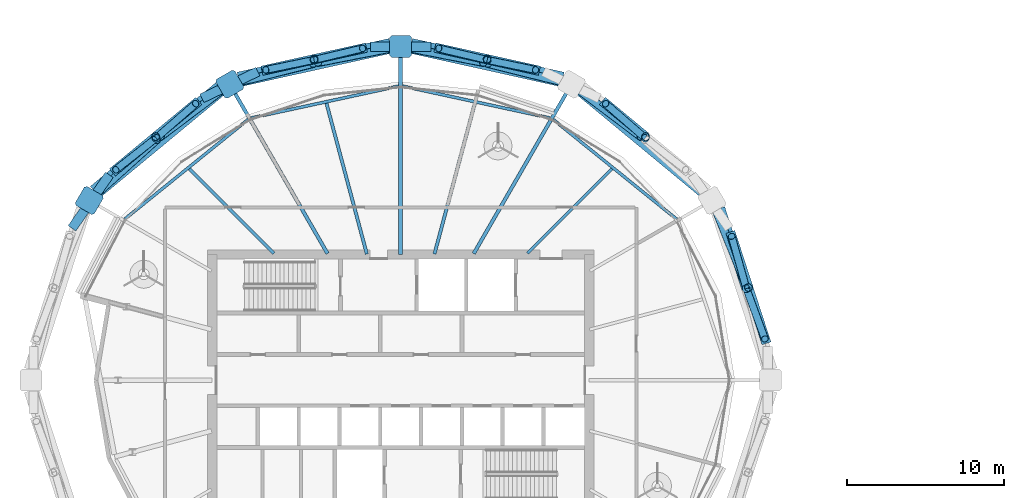
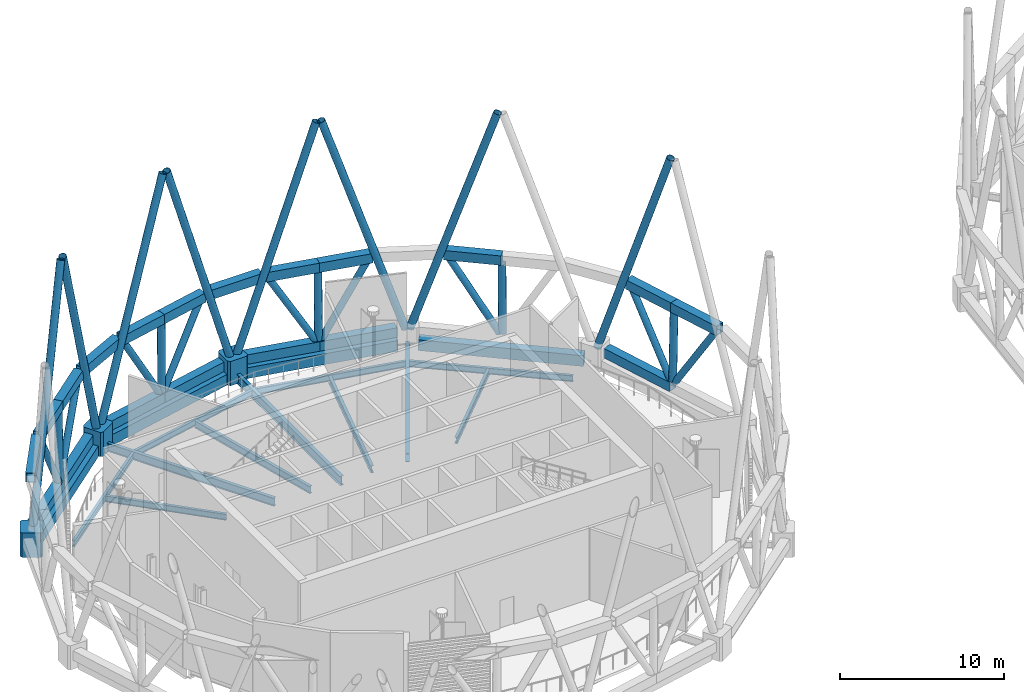
# One storey, part 5 of 22: 44 members, 15 beams.
"""IFC4 building model written with IfcOpenShell, lengths in metres."""

from ifc_helpers import new_model, si_unit, direction, frame, origin, origin_2d, place, context, subcontext, project, spatial, polyline, hollow_rectangle, hollow_circle, i_section, outline, extrude, material, material_profile, profile_set, type_object, element, save


model = new_model("IFC4")

# Units and contexts
model_context = context("Model", 3, precision=1e-05, world=origin(), true_north=direction((0.0, 1.0)))
body_context = subcontext(model_context, "Body", "Model", "MODEL_VIEW")
ifc_project = project(units=[si_unit("LENGTHUNIT", "METRE"), si_unit("AREAUNIT", "SQUARE_METRE"), si_unit("VOLUMEUNIT", "CUBIC_METRE"), si_unit("PLANEANGLEUNIT", "RADIAN"), si_unit("MASSUNIT", "GRAM", prefix="KILO")], contexts=[model_context])

# Site, building, storey
site_placement = place(None, origin())
site = spatial("IfcSite", under=ifc_project, at=site_placement, CompositionType="ELEMENT")
building_placement = place(site_placement, origin())
building = spatial("IfcBuilding", under=site, at=building_placement, Name="Rimbun Link Towers", CompositionType="ELEMENT")
storey_placement = place(building_placement, frame((0.0, 0.0, 204.5)))
storey = spatial("IfcBuildingStorey", under=building, at=storey_placement, Name="L50", CompositionType="ELEMENT", Elevation=204.5)

# Members
ifc_material_1 = material(Name="Steel S460N", Category="steel")
ifc_material_profile_1 = material_profile(ifc_material_1, hollow_rectangle(XDim=0.60009765625, YDim=0.699951171875, WallThickness=0.034912109375, at=origin_2d()), Name="Belt truss chord BOX 600x700x35")
ifc_profile_set_1 = profile_set([ifc_material_profile_1], Name="Steel S460N")
member_type_1 = type_object("IfcMemberType", Name="Belt truss chord BOX 600x700x35", PredefinedType="CHORD", material=ifc_profile_set_1)
member_1_placement = place(storey_placement, frame((-29.82666015625, 21.22802734375, 6.0), z_axis=(-1.0, 0.0, 0.0), x_axis=(0.0, -1.0, 0.0)))
element("IfcMember", 1, at=member_1_placement, inside=storey, type_object=member_type_1, Name="Belt truss chord T1 L50 top 03", PredefinedType="CHORD", context=body_context, shape_type="SweptSolid", body=[
    extrude(hollow_rectangle(XDim=0.60009765625, YDim=0.699951171875, WallThickness=0.034912109375, at=origin_2d()), origin(), (0.0, 0.0, 1.0), 3.8466796875),
])
member_2_placement = place(storey_placement, frame((-40.836181640625, 19.638427734375, 6.0), z_axis=(-0.902203286827, -0.431311058564, 0.0), x_axis=(0.431311058564, -0.902203286827, 0.0)))
element("IfcMember", 2, at=member_2_placement, inside=storey, type_object=member_type_1, Name="Belt truss chord T1 L50 top 04", PredefinedType="CHORD", context=body_context, shape_type="SweptSolid", body=[
    extrude(hollow_rectangle(XDim=0.60009765625, YDim=0.699951171875, WallThickness=0.034912109375, at=origin_2d()), origin(), (0.0, 0.0, 1.0), 3.947509765625),
])
member_3_placement = place(storey_placement, frame((-50.287109375, 13.066650390625, 6.0), z_axis=(-0.572589892048, -0.819841945453, 0.0), x_axis=(0.819841945453, -0.572589892048, 0.0)))
element("IfcMember", 3, at=member_3_placement, inside=storey, type_object=member_type_1, Name="Belt truss chord T1 L50 top 05", PredefinedType="CHORD", context=body_context, shape_type="SweptSolid", body=[
    extrude(hollow_rectangle(XDim=0.60009765625, YDim=0.699951171875, WallThickness=0.034912109375, at=origin_2d()), origin(), (0.0, 0.0, 1.0), 4.152099609375),
])
member_4_placement = place(storey_placement, frame((-9.75048828125, 5.826904296875, 0.18994140625), z_axis=(-0.308604434273, 0.951190466283, 0.0), x_axis=(-0.951190466283, -0.308604434273, 0.0)))
element("IfcMember", 4, at=member_4_placement, inside=storey, type_object=member_type_1, Name="Belt truss chord T1 L50 bottom 01", PredefinedType="CHORD", context=body_context, shape_type="SweptSolid", body=[
    extrude(hollow_rectangle(XDim=0.60009765625, YDim=0.699951171875, WallThickness=0.034912109375, at=origin_2d()), origin(), (0.0, 0.0, 1.0), 5.387451171875),
])
member_5_placement = place(storey_placement, frame((-8.471435546875, 2.345947265625, 6.0), z_axis=(-0.30857357465, 0.951200477832, 0.0), x_axis=(-0.951200477832, -0.30857357465, 0.0)))
element("IfcMember", 5, at=member_5_placement, inside=storey, type_object=member_type_1, Name="Belt truss chord T1 L50 top 12", PredefinedType="CHORD", context=body_context, shape_type="SweptSolid", body=[
    extrude(hollow_rectangle(XDim=0.60009765625, YDim=0.699951171875, WallThickness=0.034912109375, at=origin_2d()), origin(), (0.0, 0.0, 1.0), 3.727294921875),
])
member_6_placement = place(storey_placement, frame((-9.62158203125, 5.891357421875, 6.0), z_axis=(-0.308583287774, 0.951197326798, 0.0), x_axis=(-0.951197326798, -0.308583287774, 0.0)))
element("IfcMember", 6, at=member_6_placement, inside=storey, type_object=member_type_1, Name="Belt truss chord T1 L50 top 13", PredefinedType="CHORD", context=body_context, shape_type="SweptSolid", body=[
    extrude(hollow_rectangle(XDim=0.60009765625, YDim=0.699951171875, WallThickness=0.034912109375, at=origin_2d()), origin(), (0.0, 0.0, 1.0), 3.722412109375),
])
member_7_placement = place(storey_placement, frame((-16.163330078125, 15.49755859375, 6.0), z_axis=(-0.770625211555, 0.637288618536, 0.0), x_axis=(-0.637288618536, -0.770625211555, 0.0)))
element("IfcMember", 7, at=member_7_placement, inside=storey, type_object=member_type_1, Name="Belt truss chord T1 L50 top 15", PredefinedType="CHORD", context=body_context, shape_type="SweptSolid", body=[
    extrude(hollow_rectangle(XDim=0.60009765625, YDim=0.699951171875, WallThickness=0.034912109375, at=origin_2d()), origin(), (0.0, 0.0, 1.0), 3.563232421875),
])
for number, where, z_axis, x_axis, name in (
    (8, (-21.41259765625, 19.307373046875, 0.18994140625), (-0.976254416691, 0.216627131013, 0.0), (-0.216627131013, -0.976254416691, 0.0), "Belt truss chord T1 L50 bottom 04"),
    (9, (-26.23828125, 20.378173828125, 0.18994140625), (-0.976254416691, 0.216627131013, 0.0), (-0.216627131013, -0.976254416691, 0.0), "Belt truss chord T1 L50 bottom 05"),
):
    element("IfcMember", number, at=place(storey_placement, frame(where, z_axis=z_axis, x_axis=x_axis)), inside=storey, type_object=member_type_1, Name=name, PredefinedType="CHORD", context=body_context, shape_type="SweptSolid", body=[
        extrude(hollow_rectangle(XDim=0.60009765625, YDim=0.699951171875, WallThickness=0.034912109375, at=origin_2d()), origin(), (0.0, 0.0, 1.0), 4.943115234375),
    ])
member_8_placement = place(storey_placement, frame((-22.92236328125, 19.691650390625, 6.0), z_axis=(-0.976261205959, 0.21659653215, 0.0), x_axis=(-0.21659653215, -0.976261205959, 0.0)))
element("IfcMember", 10, at=member_8_placement, inside=storey, type_object=member_type_1, Name="Belt truss chord T1 L50 top 16", PredefinedType="CHORD", context=body_context, shape_type="SweptSolid", body=[
    extrude(hollow_rectangle(XDim=0.60009765625, YDim=0.699951171875, WallThickness=0.034912109375, at=origin_2d()), origin(), (0.0, 0.0, 1.0), 3.40625),
])
member_9_placement = place(storey_placement, frame((-26.247802734375, 20.429443359375, 6.0), z_axis=(-0.976251200062, 0.216641626602, 0.0), x_axis=(-0.216641626602, -0.976251200062, 0.0)))
element("IfcMember", 11, at=member_9_placement, inside=storey, type_object=member_type_1, Name="Belt truss chord T1 L50 top 17", PredefinedType="CHORD", context=body_context, shape_type="SweptSolid", body=[
    extrude(hollow_rectangle(XDim=0.60009765625, YDim=0.699951171875, WallThickness=0.034912109375, at=origin_2d()), origin(), (0.0, 0.0, 1.0), 3.401123046875),
])
for number, where, z_axis, x_axis, name in (
    (12, (-32.43603515625, 21.448974609375, 0.18994140625), (-0.976254416691, -0.216627131013, 0.0), (0.216627131013, -0.976254416691, 0.0), "Belt truss chord T1 L50 bottom 06"),
    (13, (-37.26171875, 20.378173828125, 0.18994140625), (-0.976254416691, -0.216627131013, 0.0), (0.216627131013, -0.976254416691, 0.0), "Belt truss chord T1 L50 bottom 07"),
):
    element("IfcMember", number, at=place(storey_placement, frame(where, z_axis=z_axis, x_axis=x_axis)), inside=storey, type_object=member_type_1, Name=name, PredefinedType="CHORD", context=body_context, shape_type="SweptSolid", body=[
        extrude(hollow_rectangle(XDim=0.60009765625, YDim=0.699951171875, WallThickness=0.034912109375, at=origin_2d()), origin(), (0.0, 0.0, 1.0), 4.943115234375),
    ])
member_10_placement = place(storey_placement, frame((-33.931884765625, 21.166259765625, 6.0), z_axis=(-0.976251200062, -0.216641626602, 0.0), x_axis=(0.216641626602, -0.976251200062, 0.0)))
element("IfcMember", 14, at=member_10_placement, inside=storey, type_object=member_type_1, Name="Belt truss chord T1 L50 top 18", PredefinedType="CHORD", context=body_context, shape_type="SweptSolid", body=[
    extrude(hollow_rectangle(XDim=0.60009765625, YDim=0.699951171875, WallThickness=0.034912109375, at=origin_2d()), origin(), (0.0, 0.0, 1.0), 3.401123046875),
])
member_11_placement = place(storey_placement, frame((-37.252197265625, 20.429443359375, 6.0), z_axis=(-0.976261205959, -0.21659653215, 0.0), x_axis=(0.21659653215, -0.976261205959, 0.0)))
element("IfcMember", 15, at=member_11_placement, inside=storey, type_object=member_type_1, Name="Belt truss chord T1 L50 top 19", PredefinedType="CHORD", context=body_context, shape_type="SweptSolid", body=[
    extrude(hollow_rectangle(XDim=0.60009765625, YDim=0.699951171875, WallThickness=0.034912109375, at=origin_2d()), origin(), (0.0, 0.0, 1.0), 3.40625),
])
for number, where, z_axis, x_axis, name in (
    (16, (-43.326416015625, 18.70166015625, 0.18994140625), (-0.770640371159, -0.637270286723, 0.0), (0.637270286723, -0.770640371159, 0.0), "Belt truss chord T1 L50 bottom 08"),
    (17, (-47.314453125, 15.40380859375, 0.18994140625), (-0.770640371159, -0.637270286723, 0.0), (0.637270286723, -0.770640371159, 0.0), "Belt truss chord T1 L50 bottom 09"),
):
    element("IfcMember", number, at=place(storey_placement, frame(where, z_axis=z_axis, x_axis=x_axis)), inside=storey, type_object=member_type_1, Name=name, PredefinedType="CHORD", context=body_context, shape_type="SweptSolid", body=[
        extrude(hollow_rectangle(XDim=0.60009765625, YDim=0.699951171875, WallThickness=0.034912109375, at=origin_2d()), origin(), (0.0, 0.0, 1.0), 5.175048828125),
    ])
member_12_placement = place(storey_placement, frame((-44.5908203125, 17.768310546875, 6.0), z_axis=(-0.770625211555, -0.637288618536, 0.0), x_axis=(0.637288618536, -0.770625211555, 0.0)))
element("IfcMember", 18, at=member_12_placement, inside=storey, type_object=member_type_1, Name="Belt truss chord T1 L50 top 20", PredefinedType="CHORD", context=body_context, shape_type="SweptSolid", body=[
    extrude(hollow_rectangle(XDim=0.60009765625, YDim=0.699951171875, WallThickness=0.034912109375, at=origin_2d()), origin(), (0.0, 0.0, 1.0), 3.563232421875),
])
member_13_placement = place(storey_placement, frame((-47.336669921875, 15.49755859375, 6.0), z_axis=(-0.77064075529, -0.6372698222, 0.0), x_axis=(0.6372698222, -0.77064075529, 0.0)))
element("IfcMember", 19, at=member_13_placement, inside=storey, type_object=member_type_1, Name="Belt truss chord T1 L50 top 21", PredefinedType="CHORD", context=body_context, shape_type="SweptSolid", body=[
    extrude(hollow_rectangle(XDim=0.60009765625, YDim=0.699951171875, WallThickness=0.034912109375, at=origin_2d()), origin(), (0.0, 0.0, 1.0), 3.5732421875),
])
ifc_material_2 = material(Name="Steel S355J2H", Category="steel")
ifc_material_profile_2 = material_profile(ifc_material_2, hollow_circle(Radius=0.228515625, WallThickness=0.01611328125, at=origin_2d()), Name="Belt truss diagonal CHS 457x16")
ifc_profile_set_2 = profile_set([ifc_material_profile_2], Name="Steel S355J2H")
member_type_2 = type_object("IfcMemberType", Name="Belt truss diagonal CHS 457x16", PredefinedType="BRACE", material=ifc_profile_set_2)
member_14_placement = place(storey_placement, frame((-9.686767578125, 5.654052734375, 0.487548828125), z_axis=(0.182205401006, -0.494040114174, 0.850132670488), x_axis=(0.938225630774, 0.34602408263, 0.0)))
element("IfcMember", 20, at=member_14_placement, inside=storey, type_object=member_type_2, Name="Belt truss diagonal T1 L50 00", PredefinedType="BRACE", context=body_context, shape_type="SweptSolid", body=[
    extrude(hollow_circle(Radius=0.228515625, WallThickness=0.01611328125, at=origin_2d()), origin(), (0.0, 0.0, 1.0), 6.134033203125),
])
member_15_placement = place(storey_placement, frame((-9.801025390625, 6.005859375, 0.486572265625), z_axis=(-0.143980864264, 0.511209391928, 0.84731013704), x_axis=(-0.962551144437, -0.271100155558, 0.0)))
element("IfcMember", 21, at=member_15_placement, inside=storey, type_object=member_type_2, Name="Belt truss diagonal T1 L50 01", PredefinedType="BRACE", context=body_context, shape_type="SweptSolid", body=[
    extrude(hollow_circle(Radius=0.228515625, WallThickness=0.01611328125, at=origin_2d()), origin(), (0.0, 0.0, 1.0), 6.156982421875),
])
member_16_placement = place(storey_placement, frame((-16.322509765625, 15.52294921875, 0.4892578125), z_axis=(-0.391243727325, 0.340044722254, 0.855159594868), x_axis=(-0.655995008443, -0.754765227669, 0.0)))
element("IfcMember", 22, at=member_16_placement, inside=storey, type_object=member_type_2, Name="Belt truss diagonal T1 L50 03", PredefinedType="BRACE", context=body_context, shape_type="SweptSolid", body=[
    extrude(hollow_circle(Radius=0.228515625, WallThickness=0.01611328125, at=origin_2d()), origin(), (0.0, 0.0, 1.0), 6.093994140625),
])
member_17_placement = place(storey_placement, frame((-26.06884765625, 20.343017578125, 0.494140625), z_axis=(0.484366831539, -0.100104110207, 0.869119059522), x_axis=(0.202392876636, 0.979304407979, 0.0)))
element("IfcMember", 23, at=member_17_placement, inside=storey, type_object=member_type_2, Name="Belt truss diagonal T1 L50 04", PredefinedType="BRACE", context=body_context, shape_type="SweptSolid", body=[
    extrude(hollow_circle(Radius=0.228515625, WallThickness=0.01611328125, at=origin_2d()), origin(), (0.0, 0.0, 1.0), 5.98486328125),
])
for number, where, z_axis, x_axis, name in (
    (24, (-26.408203125, 20.41845703125, 0.493408203125), (-0.485716626789, 0.115137648537, 0.866500248327), (-0.230655120675, -0.973035567339, 0.0), "Belt truss diagonal T1 L50 05"),
    (25, (-37.091796875, 20.41845703125, 0.493408203125), (0.485716626789, 0.115137648537, 0.866500248327), (-0.230655120675, 0.973035567339, 0.0), "Belt truss diagonal T1 L50 06"),
):
    element("IfcMember", number, at=place(storey_placement, frame(where, z_axis=z_axis, x_axis=x_axis)), inside=storey, type_object=member_type_2, Name=name, PredefinedType="BRACE", context=body_context, shape_type="SweptSolid", body=[
        extrude(hollow_circle(Radius=0.228515625, WallThickness=0.01611328125, at=origin_2d()), origin(), (0.0, 0.0, 1.0), 6.005126953125),
    ])
member_18_placement = place(storey_placement, frame((-37.43115234375, 20.343017578125, 0.494140625), z_axis=(-0.484366831539, -0.100104110207, 0.869119059522), x_axis=(0.202392876636, -0.979304407979, 0.0)))
element("IfcMember", 26, at=member_18_placement, inside=storey, type_object=member_type_2, Name="Belt truss diagonal T1 L50 07", PredefinedType="BRACE", context=body_context, shape_type="SweptSolid", body=[
    extrude(hollow_circle(Radius=0.228515625, WallThickness=0.01611328125, at=origin_2d()), origin(), (0.0, 0.0, 1.0), 5.98486328125),
])
member_19_placement = place(storey_placement, frame((-47.177490234375, 15.52294921875, 0.4892578125), z_axis=(0.391243727325, 0.340044722254, 0.855159594868), x_axis=(-0.655995008443, 0.754765227669, 0.0)))
element("IfcMember", 27, at=member_19_placement, inside=storey, type_object=member_type_2, Name="Belt truss diagonal T1 L50 08", PredefinedType="BRACE", context=body_context, shape_type="SweptSolid", body=[
    extrude(hollow_circle(Radius=0.228515625, WallThickness=0.01611328125, at=origin_2d()), origin(), (0.0, 0.0, 1.0), 6.093994140625),
])
member_20_placement = place(storey_placement, frame((-47.45458984375, 15.293701171875, 0.4912109375), z_axis=(-0.40040567117, -0.314457462, 0.860692629855), x_axis=(0.617643022203, -0.786458579407, 0.0)))
element("IfcMember", 28, at=member_20_placement, inside=storey, type_object=member_type_2, Name="Belt truss diagonal T1 L50 09", PredefinedType="BRACE", context=body_context, shape_type="SweptSolid", body=[
    extrude(hollow_circle(Radius=0.228515625, WallThickness=0.01611328125, at=origin_2d()), origin(), (0.0, 0.0, 1.0), 6.05029296875),
])
ifc_material_3 = material(Name="Steel S355J2H", Category="steel")
ifc_material_profile_3 = material_profile(ifc_material_3, hollow_circle(Radius=0.25390625, WallThickness=0.02001953125, at=origin_2d()), Name="Belt truss strut CHS 508x20")
ifc_profile_set_3 = profile_set([ifc_material_profile_3], Name="Steel S355J2H")
member_type_3 = type_object("IfcMemberType", Name="Belt truss strut CHS 508x20", PredefinedType="STRUT", material=ifc_profile_set_3)
member_21_placement = place(storey_placement, frame((-9.75048828125, 5.826904296875, 0.5400390625), z_axis=(0.025216918949, 0.012608459474, 0.999602487866), x_axis=(-0.4472135955, 0.894427191, 0.0)))
element("IfcMember", 29, at=member_21_placement, inside=storey, type_object=member_type_3, Name="Belt truss strut T1 L50 00", PredefinedType="STRUT", context=body_context, shape_type="SweptSolid", body=[
    extrude(hollow_circle(Radius=0.25390625, WallThickness=0.02001953125, at=origin_2d()), origin(), (0.0, 0.0, 1.0), 5.11181640625),
])
member_22_placement = place(storey_placement, frame((-16.185546875, 15.40380859375, 0.5400390625), z_axis=(0.004347053442, 0.018343610131, 0.999822291757), x_axis=(-0.97305036996, 0.230592665798, 0.0)))
element("IfcMember", 30, at=member_22_placement, inside=storey, type_object=member_type_3, Name="Belt truss strut T1 L50 01", PredefinedType="STRUT", context=body_context, shape_type="SweptSolid", body=[
    extrude(hollow_circle(Radius=0.25390625, WallThickness=0.02001953125, at=origin_2d()), origin(), (0.0, 0.0, 1.0), 5.11083984375),
])
for number, where, z_axis, x_axis, name in (
    (31, (-26.23828125, 20.378173828125, 0.5400390625), (-0.001863257018, 0.010032922405, 0.999947933015), (-0.983188736076, -0.182592193843, 0.0), "Belt truss strut T1 L50 02"),
    (32, (-37.26171875, 20.378173828125, 0.5400390625), (0.001863257018, 0.010032922405, 0.999947933015), (-0.983188736076, 0.182592193843, 0.0), "Belt truss strut T1 L50 03"),
):
    element("IfcMember", number, at=place(storey_placement, frame(where, z_axis=z_axis, x_axis=x_axis)), inside=storey, type_object=member_type_3, Name=name, PredefinedType="STRUT", context=body_context, shape_type="SweptSolid", body=[
        extrude(hollow_circle(Radius=0.25390625, WallThickness=0.02001953125, at=origin_2d()), origin(), (0.0, 0.0, 1.0), 5.110107421875),
    ])
member_23_placement = place(storey_placement, frame((-47.314453125, 15.40380859375, 0.5400390625), z_axis=(-0.004347053442, 0.018343610131, 0.999822291757), x_axis=(-0.97305036996, -0.230592665798, 0.0)))
element("IfcMember", 33, at=member_23_placement, inside=storey, type_object=member_type_3, Name="Belt truss strut T1 L50 04", PredefinedType="STRUT", context=body_context, shape_type="SweptSolid", body=[
    extrude(hollow_circle(Radius=0.25390625, WallThickness=0.02001953125, at=origin_2d()), origin(), (0.0, 0.0, 1.0), 5.11083984375),
])
ifc_material_4 = material(Name="Steel S355J2H", Category="steel")
ifc_material_profile_4 = material_profile(ifc_material_4, hollow_circle(Radius=0.25390625, WallThickness=0.02001953125, at=origin_2d()), Name="Diagrid diagonal CHS 508x20")
ifc_profile_set_4 = profile_set([ifc_material_profile_4], Name="Steel S355J2H")
member_type_4 = type_object("IfcMemberType", Name="Diagrid diagonal CHS 508x20", PredefinedType="BRACE", material=ifc_profile_set_4)
member_24_placement = place(storey_placement, frame((-11.878173828125, 11.28759765625, 0.472900390625), z_axis=(0.121200375121, -0.300762204759, 0.94596647153), x_axis=(0.927521358054, 0.373770157121, 0.0)))
element("IfcMember", 34, at=member_24_placement, inside=storey, type_object=member_type_4, Name="Diagrid diagonal T1 L50-L54 02a", PredefinedType="BRACE", context=body_context, shape_type="SweptSolid", body=[
    extrude(hollow_circle(Radius=0.25390625, WallThickness=0.02001953125, at=origin_2d()), origin(), (0.0, 0.0, 1.0), 17.39404296875),
])
member_25_placement = place(storey_placement, frame((-20.75439453125, 18.73681640625, 0.475341796875), z_axis=(0.247706216349, -0.18708118863, 0.95060099897), x_axis=(0.602680050735, 0.797982929921, 0.0)))
element("IfcMember", 35, at=member_25_placement, inside=storey, type_object=member_type_4, Name="Diagrid diagonal T1 L50-L54 04a", PredefinedType="BRACE", context=body_context, shape_type="SweptSolid", body=[
    extrude(hollow_circle(Radius=0.25390625, WallThickness=0.02001953125, at=origin_2d()), origin(), (0.0, 0.0, 1.0), 17.30419921875),
])
member_26_placement = place(storey_placement, frame((-21.027587890625, 18.8671875, 0.4755859375), z_axis=(-0.298723625398, 0.074098371979, 0.951458683758), x_axis=(-0.240753833745, -0.970586210255, 0.0)))
element("IfcMember", 36, at=member_26_placement, inside=storey, type_object=member_type_4, Name="Diagrid diagonal T1 L50-L54 04b", PredefinedType="BRACE", context=body_context, shape_type="SweptSolid", body=[
    extrude(hollow_circle(Radius=0.25390625, WallThickness=0.02001953125, at=origin_2d()), origin(), (0.0, 0.0, 1.0), 17.287841796875),
])
for number, where, z_axis, x_axis, name in (
    (37, (-31.601806640625, 21.213623046875, 0.476806640625), (0.296335539997, -0.057922701299, 0.953325866852), (0.191833003498, 0.98142758203, 0.0), "Diagrid diagonal T1 L50-L54 06a"),
    (38, (-31.898193359375, 21.213623046875, 0.476806640625), (-0.296335539997, -0.057922701299, 0.953325866852), (0.191833003498, -0.98142758203, 0.0), "Diagrid diagonal T1 L50-L54 06b"),
):
    element("IfcMember", number, at=place(storey_placement, frame(where, z_axis=z_axis, x_axis=x_axis)), inside=storey, type_object=member_type_4, Name=name, PredefinedType="BRACE", context=body_context, shape_type="SweptSolid", body=[
        extrude(hollow_circle(Radius=0.25390625, WallThickness=0.02001953125, at=origin_2d()), origin(), (0.0, 0.0, 1.0), 17.251708984375),
    ])
member_27_placement = place(storey_placement, frame((-42.472412109375, 18.8671875, 0.4755859375), z_axis=(0.298723625398, 0.074098371979, 0.951458683758), x_axis=(-0.240753833745, 0.970586210255, 0.0)))
element("IfcMember", 39, at=member_27_placement, inside=storey, type_object=member_type_4, Name="Diagrid diagonal T1 L50-L54 08a", PredefinedType="BRACE", context=body_context, shape_type="SweptSolid", body=[
    extrude(hollow_circle(Radius=0.25390625, WallThickness=0.02001953125, at=origin_2d()), origin(), (0.0, 0.0, 1.0), 17.287841796875),
])
member_28_placement = place(storey_placement, frame((-42.74560546875, 18.73681640625, 0.475341796875), z_axis=(-0.247706216349, -0.18708118863, 0.95060099897), x_axis=(0.602680050735, -0.797982929921, 0.0)))
element("IfcMember", 40, at=member_28_placement, inside=storey, type_object=member_type_4, Name="Diagrid diagonal T1 L50-L54 08b", PredefinedType="BRACE", context=body_context, shape_type="SweptSolid", body=[
    extrude(hollow_circle(Radius=0.25390625, WallThickness=0.02001953125, at=origin_2d()), origin(), (0.0, 0.0, 1.0), 17.30419921875),
])
member_29_placement = place(storey_placement, frame((-51.44140625, 11.5458984375, 0.473388671875), z_axis=(0.239655292138, 0.215862520358, 0.946556238823), x_axis=(-0.669260599878, 0.743027758197, 0.0)))
element("IfcMember", 41, at=member_29_placement, inside=storey, type_object=member_type_4, Name="Diagrid diagonal T1 L50-L54 10a", PredefinedType="BRACE", context=body_context, shape_type="SweptSolid", body=[
    extrude(hollow_circle(Radius=0.25390625, WallThickness=0.02001953125, at=origin_2d()), origin(), (0.0, 0.0, 1.0), 17.38232421875),
])
ifc_material_5 = material(Name="Cast steel G20Mn5+QT, Rp0.2 300 MPa", Category="steel")
ifc_material_profile_5 = material_profile(ifc_material_5, outline(polyline([(0.699951171875, -0.570068359375), (0.699951171875, 0.570068359375), (0.570068359375, 0.699951171875), (-0.570068359375, 0.699951171875), (-0.699951171875, 0.570068359375), (-0.699951171875, -0.570068359375), (-0.570068359375, -0.699951171875), (0.570068359375, -0.699951171875), (0.699951171875, -0.570068359375)])), Name="NODE 1400x1400")
ifc_profile_set_5 = profile_set([ifc_material_profile_5], Name="Cast steel G20Mn5+QT, Rp0.2 300 MPa")
member_type_5 = type_object("IfcMemberType", Name="Diagrid node cast 1400", PredefinedType="USERDEFINED", material=ifc_profile_set_5)
for number, where, z_axis, x_axis, name in (
    (42, (-31.75, 21.24267578125, -0.89990234375), (0.0, 0.0, 1.0), (0.0, 1.0, 0.0), "Diagrid node L50 06"),
    (43, (-42.62158203125, 18.830322265625, -0.89990234375), (0.0, 0.0, 1.0), (-0.5, 0.866025403784, 0.0), "Diagrid node L50 08"),
    (44, (-51.561279296875, 11.43798828125, -0.89990234375), (0.0, 0.0, 1.0), (-0.866025403784, 0.5, 0.0), "Diagrid node L50 10"),
):
    element("IfcMember", number, at=place(storey_placement, frame(where, z_axis=z_axis, x_axis=x_axis)), inside=storey, type_object=member_type_5, Name=name, ObjectType="Diagrid node", PredefinedType="USERDEFINED", context=body_context, shape_type="SweptSolid", body=[
        extrude(outline(polyline([(0.699951171875, -0.570068359375), (0.699951171875, 0.570068359375), (0.570068359375, 0.699951171875), (-0.570068359375, 0.699951171875), (-0.699951171875, 0.570068359375), (-0.699951171875, -0.570068359375), (-0.570068359375, -0.699951171875), (0.570068359375, -0.699951171875), (0.699951171875, -0.570068359375)])), origin(), (0.0, 0.0, 1.0), 1.7998046875),
    ])

# Beams
ifc_material_6 = material(Name="Steel S355J2", Category="steel")
ifc_material_profile_6 = material_profile(ifc_material_6, hollow_rectangle(XDim=0.60009765625, YDim=0.800048828125, WallThickness=0.0400390625, at=origin_2d()), Name="Exoskeleton ring girder BOX 600x800x40")
ifc_profile_set_6 = profile_set([ifc_material_profile_6], Name="Steel S355J2")
beam_type_1 = type_object("IfcBeamType", Name="Exoskeleton ring girder BOX 600x800x40", PredefinedType="BEAM", material=ifc_profile_set_6)
beam_1_placement = place(storey_placement, frame((-12.478271484375, 11.884033203125, -0.56005859375), z_axis=(-0.770638716794, 0.637272287314, 0.0), x_axis=(-0.637272287314, -0.770638716794, 0.0)))
element("IfcBeam", 45, at=beam_1_placement, inside=storey, type_object=beam_type_1, Name="Exoskeleton ring girder L50 01", PredefinedType="BEAM", context=body_context, shape_type="SweptSolid", body=[
    extrude(hollow_rectangle(XDim=0.60009765625, YDim=0.800048828125, WallThickness=0.0400390625, at=origin_2d()), origin(), (0.0, 0.0, 1.0), 10.2001953125),
])
for number, where, z_axis, x_axis, name in (
    (46, (-21.561767578125, 18.98193359375, -0.56005859375), (-0.976253686386, 0.21663042219, 0.0), (-0.21663042219, -0.976253686386, 0.0), "Exoskeleton ring girder L50 02"),
    (47, (-32.433349609375, 21.091064453125, -0.56005859375), (-0.976253686386, -0.21663042219, 0.0), (0.21663042219, -0.976253686386, 0.0), "Exoskeleton ring girder L50 03"),
):
    element("IfcBeam", number, at=place(storey_placement, frame(where, z_axis=z_axis, x_axis=x_axis)), inside=storey, type_object=beam_type_1, Name=name, PredefinedType="BEAM", context=body_context, shape_type="SweptSolid", body=[
        extrude(hollow_rectangle(XDim=0.60009765625, YDim=0.800048828125, WallThickness=0.0400390625, at=origin_2d()), origin(), (0.0, 0.0, 1.0), 9.736083984375),
    ])
beam_2_placement = place(storey_placement, frame((-43.1611328125, 18.38427734375, -0.56005859375), z_axis=(-0.770638716794, -0.637272287314, 0.0), x_axis=(0.637272287314, -0.770638716794, 0.0)))
element("IfcBeam", 48, at=beam_2_placement, inside=storey, type_object=beam_type_1, Name="Exoskeleton ring girder L50 04", PredefinedType="BEAM", context=body_context, shape_type="SweptSolid", body=[
    extrude(hollow_rectangle(XDim=0.60009765625, YDim=0.800048828125, WallThickness=0.0400390625, at=origin_2d()), origin(), (0.0, 0.0, 1.0), 10.2001953125),
])
ifc_material_7 = material(Name="Steel S355J2", Category="steel")
ifc_material_profile_7 = material_profile(ifc_material_7, i_section(OverallWidth=0.18994140625, OverallDepth=0.453369140625, WebThickness=0.008544921875, FlangeThickness=0.0126953125, at=origin_2d()), Name="UB 457x191x67")
ifc_profile_set_7 = profile_set([ifc_material_profile_7], Name="Steel S355J2")
beam_type_2 = type_object("IfcBeamType", Name="UB 457x191x67", PredefinedType="BEAM", material=ifc_profile_set_7)
for number, where, z_axis, x_axis, name in (
    (49, (-23.68212890625, 8.06787109375, -0.4267578125), (0.707106781187, 0.707106781187, 0.0), (-0.707106781187, 0.707106781187, 0.0), "Radial beam T1 L50 03"),
    (50, (-39.81787109375, 8.06787109375, -0.4267578125), (-0.707106781187, 0.707106781187, 0.0), (-0.707106781187, -0.707106781187, 0.0), "Radial beam T1 L50 09"),
):
    element("IfcBeam", number, at=place(storey_placement, frame(where, z_axis=z_axis, x_axis=x_axis)), inside=storey, type_object=beam_type_2, Name=name, PredefinedType="BEAM", context=body_context, shape_type="SweptSolid", body=[
        extrude(i_section(OverallWidth=0.18994140625, OverallDepth=0.453369140625, WebThickness=0.008544921875, FlangeThickness=0.0126953125, at=origin_2d()), origin(), (0.0, 0.0, 1.0), 7.60693359375),
    ])
beam_3_placement = place(storey_placement, frame((-14.190185546875, 10.248779296875, -0.4267578125), z_axis=(-0.778028058052, 0.628229528822, 0.0), x_axis=(-0.628229528822, -0.778028058052, 0.0)))
element("IfcBeam", 51, at=beam_3_placement, inside=storey, type_object=beam_type_2, Name="Edge beam T1 L50 02-04", PredefinedType="BEAM", context=body_context, shape_type="SweptSolid", body=[
    extrude(i_section(OverallWidth=0.18994140625, OverallDepth=0.453369140625, WebThickness=0.008544921875, FlangeThickness=0.0126953125, at=origin_2d()), origin(), (0.0, 0.0, 1.0), 10.090087890625),
])
for number, where, z_axis, x_axis, name in (
    (52, (-22.248779296875, 16.68603515625, -0.4267578125), (-0.977395259768, 0.211420212335, 0.0), (-0.211420212335, -0.977395259768, 0.0), "Edge beam T1 L50 04-06"),
    (53, (-31.877685546875, 18.713623046875, -0.4267578125), (-0.977395259768, -0.211420212335, 0.0), (0.211420212335, -0.977395259768, 0.0), "Edge beam T1 L50 06-08"),
):
    element("IfcBeam", number, at=place(storey_placement, frame(where, z_axis=z_axis, x_axis=x_axis)), inside=storey, type_object=beam_type_2, Name=name, PredefinedType="BEAM", context=body_context, shape_type="SweptSolid", body=[
        extrude(i_section(OverallWidth=0.18994140625, OverallDepth=0.453369140625, WebThickness=0.008544921875, FlangeThickness=0.0126953125, at=origin_2d()), origin(), (0.0, 0.0, 1.0), 9.59033203125),
    ])
beam_4_placement = place(storey_placement, frame((-41.45947265625, 16.587646484375, -0.4267578125), z_axis=(-0.778028058052, -0.628229528822, 0.0), x_axis=(0.628229528822, -0.778028058052, 0.0)))
element("IfcBeam", 54, at=beam_4_placement, inside=storey, type_object=beam_type_2, Name="Edge beam T1 L50 08-10", PredefinedType="BEAM", context=body_context, shape_type="SweptSolid", body=[
    extrude(i_section(OverallWidth=0.18994140625, OverallDepth=0.453369140625, WebThickness=0.008544921875, FlangeThickness=0.0126953125, at=origin_2d()), origin(), (0.0, 0.0, 1.0), 10.090087890625),
])
ifc_material_8 = material(Name="Steel S355J2", Category="steel")
ifc_material_profile_8 = material_profile(ifc_material_8, i_section(OverallWidth=0.209228515625, OverallDepth=0.533203125, WebThickness=0.010009765625, FlangeThickness=0.015625, at=origin_2d()), Name="UB 533x210x92")
ifc_profile_set_8 = profile_set([ifc_material_profile_8], Name="Steel S355J2")
beam_type_3 = type_object("IfcBeamType", Name="UB 533x210x92", PredefinedType="BEAM", material=ifc_profile_set_8)
for number, where, z_axis, x_axis, name in (
    (55, (-29.598876953125, 8.028076171875, -0.466552734375), (0.258811443187, 0.965927863184, 0.0), (-0.965927863184, 0.258811443187, 0.0), "Radial beam T1 L50 05"),
    (56, (-33.901123046875, 8.028076171875, -0.466552734375), (-0.258811443187, 0.965927863184, 0.0), (-0.965927863184, -0.258811443187, 0.0), "Radial beam T1 L50 07"),
):
    element("IfcBeam", number, at=place(storey_placement, frame(where, z_axis=z_axis, x_axis=x_axis)), inside=storey, type_object=beam_type_3, Name=name, PredefinedType="BEAM", context=body_context, shape_type="SweptSolid", body=[
        extrude(i_section(OverallWidth=0.209228515625, OverallDepth=0.533203125, WebThickness=0.010009765625, FlangeThickness=0.015625, at=origin_2d()), origin(), (0.0, 0.0, 1.0), 9.93212890625),
    ])
ifc_material_9 = material(Name="Steel S355J2", Category="steel")
ifc_material_profile_9 = material_profile(ifc_material_9, i_section(OverallWidth=0.2275390625, OverallDepth=0.6025390625, WebThickness=0.010498046875, FlangeThickness=0.014892578125, at=origin_2d()), Name="UB 610x229x101")
ifc_profile_set_9 = profile_set([ifc_material_profile_9], Name="Steel S355J2")
beam_type_4 = type_object("IfcBeamType", Name="UB 610x229x101", PredefinedType="BEAM", material=ifc_profile_set_9)
for number, where, z_axis, x_axis, name in (
    (57, (-27.097900390625, 8.057861328125, -0.501220703125), (0.500003314297, 0.866023490266, 0.0), (-0.866023490266, 0.500003314297, 0.0), "Radial beam T1 L50 04"),
    (58, (-36.402099609375, 8.057861328125, -0.501220703125), (-0.500003314297, 0.866023490266, 0.0), (-0.866023490266, -0.500003314297, 0.0), "Radial beam T1 L50 08"),
):
    element("IfcBeam", number, at=place(storey_placement, frame(where, z_axis=z_axis, x_axis=x_axis)), inside=storey, type_object=beam_type_4, Name=name, PredefinedType="BEAM", context=body_context, shape_type="SweptSolid", body=[
        extrude(i_section(OverallWidth=0.2275390625, OverallDepth=0.6025390625, WebThickness=0.010498046875, FlangeThickness=0.014892578125, at=origin_2d()), origin(), (0.0, 0.0, 1.0), 11.93896484375),
    ])
ifc_material_10 = material(Name="Steel S355J2", Category="steel")
ifc_material_profile_10 = material_profile(ifc_material_10, i_section(OverallWidth=0.253662109375, OverallDepth=0.68359375, WebThickness=0.012451171875, FlangeThickness=0.01904296875, at=origin_2d()), Name="UB 686x254x140")
ifc_profile_set_10 = profile_set([ifc_material_profile_10], Name="Steel S355J2")
beam_type_5 = type_object("IfcBeamType", Name="UB 686x254x140", PredefinedType="BEAM", material=ifc_profile_set_10)
beam_5_placement = place(storey_placement, frame((-31.75, 8.0009765625, -0.541748046875), z_axis=(0.0, 1.0, 0.0), x_axis=(-1.0, 0.0, 0.0)))
element("IfcBeam", 59, at=beam_5_placement, inside=storey, type_object=beam_type_5, Name="Radial beam T1 L50 06", PredefinedType="BEAM", context=body_context, shape_type="SweptSolid", body=[
    extrude(i_section(OverallWidth=0.253662109375, OverallDepth=0.68359375, WebThickness=0.012451171875, FlangeThickness=0.01904296875, at=origin_2d()), origin(), (0.0, 0.0, 1.0), 12.74169921875),
])

save(model, "model.ifc")
